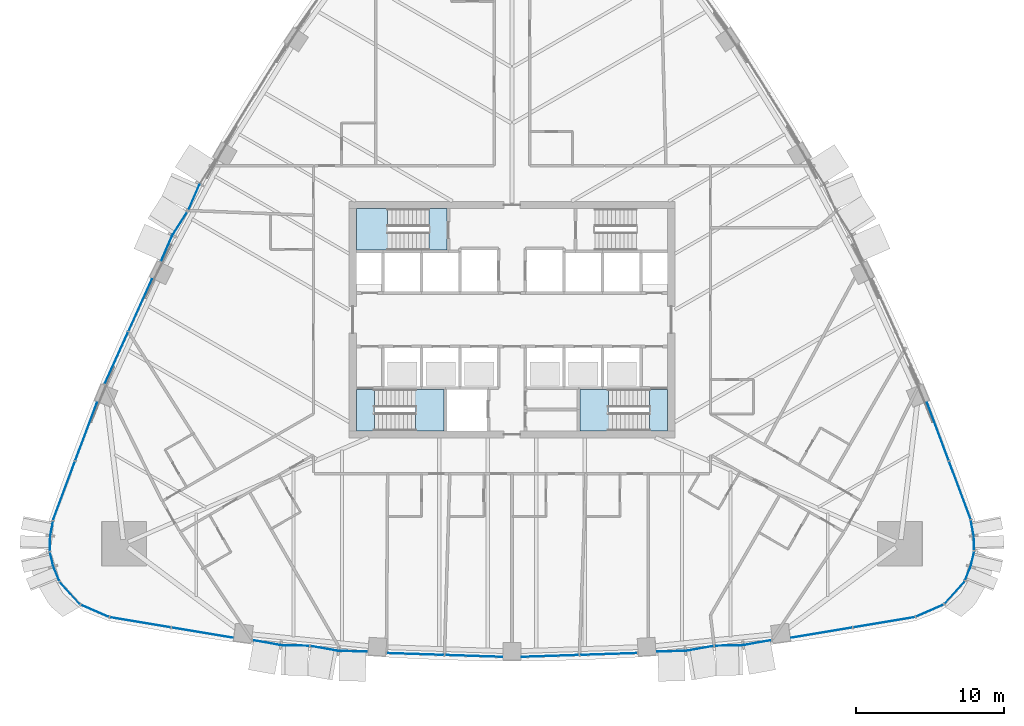
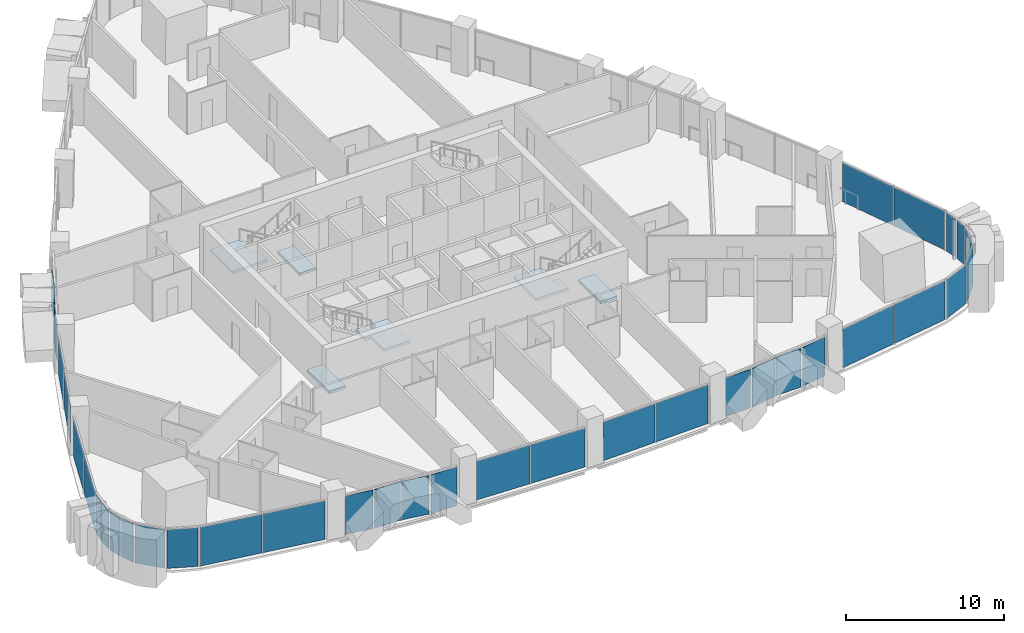
# One storey, part 8 of 18: 37 plates, 6 slabs, 21 elements without a shape of their own.
"""IFC4 building model written with IfcOpenShell, lengths in metres."""

from ifc_helpers import new_model, si_unit, direction, frame, origin, origin_2d, place, context, subcontext, project, spatial, polyline, rectangle, outline, extrude, material, layer, layer_set, type_object, element, aggregate, save


model = new_model("IFC4")

# Units and contexts
model_context = context("Model", 3, precision=1e-05, world=origin(), true_north=direction((0.0, 1.0)))
body_context = subcontext(model_context, "Body", "Model", "MODEL_VIEW")
ifc_project = project(units=[si_unit("LENGTHUNIT", "METRE"), si_unit("AREAUNIT", "SQUARE_METRE"), si_unit("VOLUMEUNIT", "CUBIC_METRE"), si_unit("PLANEANGLEUNIT", "RADIAN"), si_unit("MASSUNIT", "GRAM", prefix="KILO")], contexts=[model_context])

# Site, building, storey
site_placement = place(None, origin())
site = spatial("IfcSite", under=ifc_project, at=site_placement, CompositionType="ELEMENT")
building_placement = place(site_placement, origin())
building = spatial("IfcBuilding", under=site, at=building_placement, Name="Sierra Prisma Convention Tower", CompositionType="ELEMENT")
storey_placement = place(building_placement, frame((0.0, 0.0, 81.300048828125)))
storey = spatial("IfcBuildingStorey", under=building, at=storey_placement, Name="L16", CompositionType="ELEMENT", Elevation=81.300048828125)

# Curtain wall, plates
ifc_material_1 = material(Name="Aluminium and glass curtain wall", Category="aluminium")
ifc_layer_1 = layer(ifc_material_1, 0.179931640625)
ifc_layer_set_1 = layer_set([ifc_layer_1], Name="CW-1 Plain shaft curtain wall")
curtain_wall_type_1 = type_object("IfcCurtainWallType", Name="CW-1 Plain shaft curtain wall", PredefinedType="NOTDEFINED", material=ifc_layer_set_1)
curtain_wall_1_placement = place(storey_placement, origin())
curtain_wall_1 = element("IfcCurtainWall", 1, at=curtain_wall_1_placement, inside=storey, type_object=curtain_wall_type_1, Name="CW-1 S1 L16", PredefinedType="NOTDEFINED")
ifc_material_2 = material(Name="Tinted glass bronze-grey IGU", Category="glass")
ifc_layer_2 = layer(ifc_material_2, 0.028076171875)
ifc_layer_set_2 = layer_set([ifc_layer_2], Name="CW-1 glass panel")
plate_type_1 = type_object("IfcPlateType", Name="CW-1 glass panel", PredefinedType="CURTAIN_PANEL", material=ifc_layer_set_2)
plate_1_placement = place(storey_placement, frame((-25.097900390625, -20.431396484375, 0.0), z_axis=(0.0, 0.0, 1.0), x_axis=(0.986291517821, -0.165012247652, 0.0)))
plate_1 = element("IfcPlate", 2, at=plate_1_placement, type_object=plate_type_1, Name="CW-1 panel S1.1", PredefinedType="CURTAIN_PANEL", context=body_context, shape_type="SweptSolid", body=[
    extrude(rectangle(XDim=4.16064453125, YDim=0.028076171875, at=origin_2d()), origin(), (0.0, 0.0, 1.0), 2.97998046875),
])
plate_2_placement = place(storey_placement, frame((-20.92529296875, -21.129638671875, 0.0), z_axis=(0.0, 0.0, 1.0), x_axis=(0.986291517821, -0.165012247652, 0.0)))
plate_2 = element("IfcPlate", 3, at=plate_2_placement, type_object=plate_type_1, Name="CW-1 panel S1.2", PredefinedType="CURTAIN_PANEL", context=body_context, shape_type="SweptSolid", body=[
    extrude(rectangle(XDim=4.16064453125, YDim=0.028076171875, at=origin_2d()), origin(), (0.0, 0.0, 1.0), 2.97998046875),
])
aggregate(curtain_wall_1, [plate_1, plate_2])

curtain_wall_2_placement = place(storey_placement, origin())
curtain_wall_2 = element("IfcCurtainWall", 4, at=curtain_wall_2_placement, inside=storey, type_object=curtain_wall_type_1, Name="CW-1 S3 L16", PredefinedType="NOTDEFINED")
plate_3_placement = place(storey_placement, frame((-6.517822265625, -22.57666015625, 0.0), z_axis=(0.0, 0.0, 1.0), x_axis=(0.999450453637, -0.033148012377, 0.0)))
plate_3 = element("IfcPlate", 5, at=plate_3_placement, type_object=plate_type_1, Name="CW-1 panel S3.1", PredefinedType="CURTAIN_PANEL", context=body_context, shape_type="SweptSolid", body=[
    extrude(rectangle(XDim=3.854248046875, YDim=0.028076171875, at=origin_2d()), origin(), (0.0, 0.0, 1.0), 2.97998046875),
])
plate_4_placement = place(storey_placement, frame((-2.595703125, -22.706787109375, 0.0), z_axis=(0.0, 0.0, 1.0), x_axis=(0.999450453637, -0.033148012377, 0.0)))
plate_4 = element("IfcPlate", 6, at=plate_4_placement, type_object=plate_type_1, Name="CW-1 panel S3.2", PredefinedType="CURTAIN_PANEL", context=body_context, shape_type="SweptSolid", body=[
    extrude(rectangle(XDim=3.854248046875, YDim=0.028076171875, at=origin_2d()), origin(), (0.0, 0.0, 1.0), 2.97998046875),
])
aggregate(curtain_wall_2, [plate_3, plate_4])

curtain_wall_3_placement = place(storey_placement, origin())
curtain_wall_3 = element("IfcCurtainWall", 7, at=curtain_wall_3_placement, inside=storey, type_object=curtain_wall_type_1, Name="CW-1 S4 L16", PredefinedType="NOTDEFINED")
plate_5_placement = place(storey_placement, frame((2.595703125, -22.706787109375, 0.0), z_axis=(0.0, 0.0, 1.0), x_axis=(0.999450453637, 0.033148012377, 0.0)))
plate_5 = element("IfcPlate", 8, at=plate_5_placement, type_object=plate_type_1, Name="CW-1 panel S4.1", PredefinedType="CURTAIN_PANEL", context=body_context, shape_type="SweptSolid", body=[
    extrude(rectangle(XDim=3.854248046875, YDim=0.028076171875, at=origin_2d()), origin(), (0.0, 0.0, 1.0), 2.97998046875),
])
plate_6_placement = place(storey_placement, frame((6.517822265625, -22.57666015625, 0.0), z_axis=(0.0, 0.0, 1.0), x_axis=(0.999450453637, 0.033148012377, 0.0)))
plate_6 = element("IfcPlate", 9, at=plate_6_placement, type_object=plate_type_1, Name="CW-1 panel S4.2", PredefinedType="CURTAIN_PANEL", context=body_context, shape_type="SweptSolid", body=[
    extrude(rectangle(XDim=3.854248046875, YDim=0.028076171875, at=origin_2d()), origin(), (0.0, 0.0, 1.0), 2.97998046875),
])
aggregate(curtain_wall_3, [plate_5, plate_6])

curtain_wall_4_placement = place(storey_placement, origin())
curtain_wall_4 = element("IfcCurtainWall", 10, at=curtain_wall_4_placement, inside=storey, type_object=curtain_wall_type_1, Name="CW-1 S6 L16", PredefinedType="NOTDEFINED")
plate_7_placement = place(storey_placement, frame((20.92529296875, -21.129638671875, 0.0), z_axis=(0.0, 0.0, 1.0), x_axis=(0.986291517821, 0.165012247652, 0.0)))
plate_7 = element("IfcPlate", 11, at=plate_7_placement, type_object=plate_type_1, Name="CW-1 panel S6.1", PredefinedType="CURTAIN_PANEL", context=body_context, shape_type="SweptSolid", body=[
    extrude(rectangle(XDim=4.16064453125, YDim=0.028076171875, at=origin_2d()), origin(), (0.0, 0.0, 1.0), 2.97998046875),
])
plate_8_placement = place(storey_placement, frame((25.097900390625, -20.431396484375, 0.0), z_axis=(0.0, 0.0, 1.0), x_axis=(0.986291517821, 0.165012247652, 0.0)))
plate_8 = element("IfcPlate", 12, at=plate_8_placement, type_object=plate_type_1, Name="CW-1 panel S6.2", PredefinedType="CURTAIN_PANEL", context=body_context, shape_type="SweptSolid", body=[
    extrude(rectangle(XDim=4.16064453125, YDim=0.028076171875, at=origin_2d()), origin(), (0.0, 0.0, 1.0), 2.97998046875),
])
aggregate(curtain_wall_4, [plate_7, plate_8])

# Curtain wall, plate
curtain_wall_5_placement = place(storey_placement, origin())
curtain_wall_5 = element("IfcCurtainWall", 13, at=curtain_wall_5_placement, inside=storey, type_object=curtain_wall_type_1, Name="CW-1 SE1 L16", PredefinedType="NOTDEFINED")
plate_9_placement = place(storey_placement, frame((28.1904296875, -19.653076171875, 0.0), z_axis=(0.0, 0.0, 1.0), x_axis=(0.916724641924, 0.399519625163, 0.0)))
plate_9 = element("IfcPlate", 14, at=plate_9_placement, type_object=plate_type_1, Name="CW-1 panel SE1.1", PredefinedType="CURTAIN_PANEL", context=body_context, shape_type="SweptSolid", body=[
    extrude(rectangle(XDim=1.979736328125, YDim=0.028076171875, at=origin_2d()), origin(), (0.0, 0.0, 1.0), 2.97998046875),
])
aggregate(curtain_wall_5, [plate_9])

curtain_wall_6_placement = place(storey_placement, origin())
curtain_wall_6 = element("IfcCurtainWall", 15, at=curtain_wall_6_placement, inside=storey, type_object=curtain_wall_type_1, Name="CW-1 SE2 L16", PredefinedType="NOTDEFINED")
plate_10_placement = place(storey_placement, frame((29.87353515625, -18.44384765625, 0.0), z_axis=(0.0, 0.0, 1.0), x_axis=(0.67108183323, 0.741383283538, 0.0)))
plate_10 = element("IfcPlate", 16, at=plate_10_placement, type_object=plate_type_1, Name="CW-1 panel SE2.1", PredefinedType="CURTAIN_PANEL", context=body_context, shape_type="SweptSolid", body=[
    extrude(rectangle(XDim=1.979736328125, YDim=0.028076171875, at=origin_2d()), origin(), (0.0, 0.0, 1.0), 2.97998046875),
])
aggregate(curtain_wall_6, [plate_10])

# Curtain wall, plates
curtain_wall_7_placement = place(storey_placement, origin())
curtain_wall_7 = element("IfcCurtainWall", 17, at=curtain_wall_7_placement, inside=storey, type_object=curtain_wall_type_1, Name="CW-1 NE1 L16", PredefinedType="NOTDEFINED")
plate_11_placement = place(storey_placement, frame((30.2431640625, -11.519775390625, 0.0), z_axis=(0.0, 0.0, 1.0), x_axis=(-0.350240960509, 0.936659633796, 0.0)))
plate_11 = element("IfcPlate", 18, at=plate_11_placement, type_object=plate_type_1, Name="CW-1 panel NE1.1", PredefinedType="CURTAIN_PANEL", context=body_context, shape_type="SweptSolid", body=[
    extrude(rectangle(XDim=4.16064453125, YDim=0.028076171875, at=origin_2d()), origin(), (0.0, 0.0, 1.0), 2.97998046875),
])
plate_12_placement = place(storey_placement, frame((28.761474609375, -7.556884765625, 0.0), z_axis=(0.0, 0.0, 1.0), x_axis=(-0.350240960509, 0.936659633796, 0.0)))
plate_12 = element("IfcPlate", 19, at=plate_12_placement, type_object=plate_type_1, Name="CW-1 panel NE1.2", PredefinedType="CURTAIN_PANEL", context=body_context, shape_type="SweptSolid", body=[
    extrude(rectangle(XDim=4.16064453125, YDim=0.028076171875, at=origin_2d()), origin(), (0.0, 0.0, 1.0), 2.97998046875),
])
aggregate(curtain_wall_7, [plate_11, plate_12])

curtain_wall_8_placement = place(storey_placement, origin())
curtain_wall_8 = element("IfcCurtainWall", 20, at=curtain_wall_8_placement, inside=storey, type_object=curtain_wall_type_1, Name="CW-1 NW5 L16", PredefinedType="NOTDEFINED")
plate_13_placement = place(storey_placement, frame((-25.105712890625, 0.98193359375, 0.0), z_axis=(0.0, 0.0, 1.0), x_axis=(-0.411533962664, -0.91139442481, 0.0)))
plate_13 = element("IfcPlate", 21, at=plate_13_placement, type_object=plate_type_1, Name="CW-1 panel NW5.1", PredefinedType="CURTAIN_PANEL", context=body_context, shape_type="SweptSolid", body=[
    extrude(rectangle(XDim=3.838134765625, YDim=0.028076171875, at=origin_2d()), origin(), (0.0, 0.0, 1.0), 2.97998046875),
])
plate_14_placement = place(storey_placement, frame((-26.714111328125, -2.579833984375, 0.0), z_axis=(0.0, 0.0, 1.0), x_axis=(-0.411533962664, -0.91139442481, 0.0)))
plate_14 = element("IfcPlate", 22, at=plate_14_placement, type_object=plate_type_1, Name="CW-1 panel NW5.2", PredefinedType="CURTAIN_PANEL", context=body_context, shape_type="SweptSolid", body=[
    extrude(rectangle(XDim=3.838134765625, YDim=0.028076171875, at=origin_2d()), origin(), (0.0, 0.0, 1.0), 2.97998046875),
])
aggregate(curtain_wall_8, [plate_13, plate_14])

curtain_wall_9_placement = place(storey_placement, origin())
curtain_wall_9 = element("IfcCurtainWall", 23, at=curtain_wall_9_placement, inside=storey, type_object=curtain_wall_type_1, Name="CW-1 NW6 L16", PredefinedType="NOTDEFINED")
plate_15_placement = place(storey_placement, frame((-28.761474609375, -7.556884765625, 0.0), z_axis=(0.0, 0.0, 1.0), x_axis=(-0.350240960509, -0.936659633796, 0.0)))
plate_15 = element("IfcPlate", 24, at=plate_15_placement, type_object=plate_type_1, Name="CW-1 panel NW6.1", PredefinedType="CURTAIN_PANEL", context=body_context, shape_type="SweptSolid", body=[
    extrude(rectangle(XDim=4.16064453125, YDim=0.028076171875, at=origin_2d()), origin(), (0.0, 0.0, 1.0), 2.97998046875),
])
plate_16_placement = place(storey_placement, frame((-30.2431640625, -11.519775390625, 0.0), z_axis=(0.0, 0.0, 1.0), x_axis=(-0.350240960509, -0.936659633796, 0.0)))
plate_16 = element("IfcPlate", 25, at=plate_16_placement, type_object=plate_type_1, Name="CW-1 panel NW6.2", PredefinedType="CURTAIN_PANEL", context=body_context, shape_type="SweptSolid", body=[
    extrude(rectangle(XDim=4.16064453125, YDim=0.028076171875, at=origin_2d()), origin(), (0.0, 0.0, 1.0), 2.97998046875),
])
aggregate(curtain_wall_9, [plate_15, plate_16])

# Curtain wall, plate
curtain_wall_10_placement = place(storey_placement, origin())
curtain_wall_10 = element("IfcCurtainWall", 26, at=curtain_wall_10_placement, inside=storey, type_object=curtain_wall_type_1, Name="CW-1 SW3 L16", PredefinedType="NOTDEFINED")
plate_17_placement = place(storey_placement, frame((-29.87353515625, -18.44384765625, 0.0), z_axis=(0.0, 0.0, 1.0), x_axis=(0.67108183323, -0.741383283538, 0.0)))
plate_17 = element("IfcPlate", 27, at=plate_17_placement, type_object=plate_type_1, Name="CW-1 panel SW3.1", PredefinedType="CURTAIN_PANEL", context=body_context, shape_type="SweptSolid", body=[
    extrude(rectangle(XDim=1.979736328125, YDim=0.028076171875, at=origin_2d()), origin(), (0.0, 0.0, 1.0), 2.97998046875),
])
aggregate(curtain_wall_10, [plate_17])

curtain_wall_11_placement = place(storey_placement, origin())
curtain_wall_11 = element("IfcCurtainWall", 28, at=curtain_wall_11_placement, inside=storey, type_object=curtain_wall_type_1, Name="CW-1 SW4 L16", PredefinedType="NOTDEFINED")
plate_18_placement = place(storey_placement, frame((-28.1904296875, -19.653076171875, 0.0), z_axis=(0.0, 0.0, 1.0), x_axis=(0.916724641924, -0.399519625163, 0.0)))
plate_18 = element("IfcPlate", 29, at=plate_18_placement, type_object=plate_type_1, Name="CW-1 panel SW4.1", PredefinedType="CURTAIN_PANEL", context=body_context, shape_type="SweptSolid", body=[
    extrude(rectangle(XDim=1.979736328125, YDim=0.028076171875, at=origin_2d()), origin(), (0.0, 0.0, 1.0), 2.97998046875),
])
aggregate(curtain_wall_11, [plate_18])

# Curtain wall, plates
ifc_material_3 = material(Name="Aluminium and glass curtain wall", Category="aluminium")
ifc_layer_3 = layer(ifc_material_3, 0.179931640625)
ifc_layer_set_3 = layer_set([ifc_layer_3], Name="CW-2 Faceted crystal curtain wall")
curtain_wall_type_2 = type_object("IfcCurtainWallType", Name="CW-2 Faceted crystal curtain wall", PredefinedType="NOTDEFINED", material=ifc_layer_set_3)
curtain_wall_12_placement = place(storey_placement, origin())
curtain_wall_12 = element("IfcCurtainWall", 30, at=curtain_wall_12_placement, inside=storey, type_object=curtain_wall_type_2, Name="CW-2 S2 L16", PredefinedType="NOTDEFINED")
ifc_material_4 = material(Name="Tinted glass bronze-grey IGU", Category="glass")
ifc_layer_4 = layer(ifc_material_4, 0.028076171875)
ifc_layer_set_4 = layer_set([ifc_layer_4], Name="CW-2 crystal pane")
plate_type_2 = type_object("IfcPlateType", Name="CW-2 crystal pane", PredefinedType="CURTAIN_PANEL", material=ifc_layer_set_4)
plate_19_placement = place(storey_placement, frame((-17.500732421875, -21.654541015625, 0.0), z_axis=(-0.177071626831, -0.984197967368, 0.0), x_axis=(0.984197967368, -0.177071626831, 0.0)))
plate_19 = element("IfcPlate", 31, at=plate_19_placement, type_object=plate_type_2, Name="CW-2 pane S2.1.1", PredefinedType="CURTAIN_PANEL", context=body_context, shape_type="SweptSolid", body=[
    extrude(outline(polyline([(0.0, 0.0), (1.8599575156056498, 0.0), (1.8599575156056498, 2.97998046875), (0.0, 2.97998046875), (0.0, 0.0)])), origin(), (0.0, 0.0, -1.0), 0.028076171875),
])
plate_20_placement = place(storey_placement, frame((-13.681640625, -22.03564453125, 0.0), z_axis=(-0.021001012565, -0.999779454415, 0.0), x_axis=(-0.999779454415, 0.021001012565, 0.0)))
plate_20 = element("IfcPlate", 32, at=plate_20_placement, type_object=plate_type_2, Name="CW-2 pane S2.1.2", PredefinedType="CURTAIN_PANEL", context=body_context, shape_type="SweptSolid", body=[
    extrude(outline(polyline([(0.0, 0.0), (1.8600293618879016, 0.0), (1.8600293618879016, -2.97998046875), (0.0, -2.97998046875), (0.0, 0.0)])), origin(), (0.0, 0.0, -1.0), 0.028076171875),
])
plate_21_placement = place(storey_placement, frame((-13.612060546875, -22.04248046875, 0.0), z_axis=(-0.177071626831, -0.984197967368, 0.0), x_axis=(0.984197967368, -0.177071626831, 0.0)))
plate_21 = element("IfcPlate", 33, at=plate_21_placement, type_object=plate_type_2, Name="CW-2 pane S2.2.1", PredefinedType="CURTAIN_PANEL", context=body_context, shape_type="SweptSolid", body=[
    extrude(outline(polyline([(0.0, 0.0), (1.8599575156056498, 0.0), (1.8599575156056498, 2.97998046875), (0.0, 2.97998046875), (0.0, 0.0)])), origin(), (0.0, 0.0, -1.0), 0.028076171875),
])
plate_22_placement = place(storey_placement, frame((-9.79296875, -22.423583984375, 0.0), z_axis=(-0.020869813585, -0.999782201722, 0.0), x_axis=(-0.999782201722, 0.020869813585, 0.0)))
plate_22 = element("IfcPlate", 34, at=plate_22_placement, type_object=plate_type_2, Name="CW-2 pane S2.2.2", PredefinedType="CURTAIN_PANEL", context=body_context, shape_type="SweptSolid", body=[
    extrude(outline(polyline([(0.0, 0.0), (1.8600242507030467, 0.0), (1.8600242507030467, -2.97998046875), (0.0, -2.97998046875), (0.0, 0.0)])), origin(), (0.0, 0.0, -1.0), 0.028076171875),
])
aggregate(curtain_wall_12, [plate_19, plate_20, plate_21, plate_22])

curtain_wall_13_placement = place(storey_placement, origin())
curtain_wall_13 = element("IfcCurtainWall", 35, at=curtain_wall_13_placement, inside=storey, type_object=curtain_wall_type_2, Name="CW-2 S5 L16", PredefinedType="NOTDEFINED")
plate_23_placement = place(storey_placement, frame((9.79296875, -22.423583984375, 0.0), z_axis=(0.020869813585, -0.999782201722, 0.0), x_axis=(0.999782201722, 0.020869813585, 0.0)))
plate_23 = element("IfcPlate", 36, at=plate_23_placement, type_object=plate_type_2, Name="CW-2 pane S5.1.1", PredefinedType="CURTAIN_PANEL", context=body_context, shape_type="SweptSolid", body=[
    extrude(outline(polyline([(0.0, 0.0), (1.8600242507030467, 0.0), (1.8600242507030467, 2.97998046875), (0.0, 2.97998046875), (0.0, 0.0)])), origin(), (0.0, 0.0, -1.0), 0.028076171875),
])
plate_24_placement = place(storey_placement, frame((13.612060546875, -22.04248046875, 0.0), z_axis=(0.177071626831, -0.984197967368, 0.0), x_axis=(-0.984197967368, -0.177071626831, 0.0)))
plate_24 = element("IfcPlate", 37, at=plate_24_placement, type_object=plate_type_2, Name="CW-2 pane S5.1.2", PredefinedType="CURTAIN_PANEL", context=body_context, shape_type="SweptSolid", body=[
    extrude(outline(polyline([(0.0, 0.0), (1.8599575156056498, 0.0), (1.8599575156056498, -2.97998046875), (0.0, -2.97998046875), (0.0, 0.0)])), origin(), (0.0, 0.0, -1.0), 0.028076171875),
])
plate_25_placement = place(storey_placement, frame((13.681640625, -22.03564453125, 0.0), z_axis=(0.021001012565, -0.999779454415, 0.0), x_axis=(0.999779454415, 0.021001012565, 0.0)))
plate_25 = element("IfcPlate", 38, at=plate_25_placement, type_object=plate_type_2, Name="CW-2 pane S5.2.1", PredefinedType="CURTAIN_PANEL", context=body_context, shape_type="SweptSolid", body=[
    extrude(outline(polyline([(0.0, 0.0), (1.8600293618879016, 0.0), (1.8600293618879016, 2.97998046875), (0.0, 2.97998046875), (0.0, 0.0)])), origin(), (0.0, 0.0, -1.0), 0.028076171875),
])
plate_26_placement = place(storey_placement, frame((17.500732421875, -21.654541015625, 0.0), z_axis=(0.177071626831, -0.984197967368, 0.0), x_axis=(-0.984197967368, -0.177071626831, 0.0)))
plate_26 = element("IfcPlate", 39, at=plate_26_placement, type_object=plate_type_2, Name="CW-2 pane S5.2.2", PredefinedType="CURTAIN_PANEL", context=body_context, shape_type="SweptSolid", body=[
    extrude(outline(polyline([(0.0, 0.0), (1.8599575156056498, 0.0), (1.8599575156056498, -2.97998046875), (0.0, -2.97998046875), (0.0, 0.0)])), origin(), (0.0, 0.0, -1.0), 0.028076171875),
])
aggregate(curtain_wall_13, [plate_23, plate_24, plate_25, plate_26])

curtain_wall_14_placement = place(storey_placement, origin())
curtain_wall_14 = element("IfcCurtainWall", 40, at=curtain_wall_14_placement, inside=storey, type_object=curtain_wall_type_2, Name="CW-2 SE3 L16", PredefinedType="NOTDEFINED")
plate_27_placement = place(storey_placement, frame((30.606201171875, -17.591552734375, 0.0), z_axis=(0.924933948964, -0.38012786014, 0.0), x_axis=(0.38012786014, 0.924933948964, 0.0)))
plate_27 = element("IfcPlate", 41, at=plate_27_placement, type_object=plate_type_2, Name="CW-2 pane SE3.1.1", PredefinedType="CURTAIN_PANEL", context=body_context, shape_type="SweptSolid", body=[
    extrude(outline(polyline([(0.0, 0.0), (0.9280645806782933, 0.0), (0.9280645806782933, 2.97998046875), (0.0, 2.97998046875), (0.0, 0.0)])), origin(), (0.0, 0.0, -1.0), 0.028076171875),
])
plate_28_placement = place(storey_placement, frame((31.213134765625, -15.70703125, 0.0), z_axis=(0.972952814663, -0.231003940312, 0.0), x_axis=(-0.231003940312, -0.972952814663, 0.0)))
plate_28 = element("IfcPlate", 42, at=plate_28_placement, type_object=plate_type_2, Name="CW-2 pane SE3.1.2", PredefinedType="CURTAIN_PANEL", context=body_context, shape_type="SweptSolid", body=[
    extrude(outline(polyline([(0.0, 0.0), (0.9279299238811265, 0.0), (0.9279299238811265, -2.97998046875), (0.0, -2.97998046875), (0.0, 0.0)])), origin(), (0.0, 0.0, -1.0), 0.028076171875),
])
aggregate(curtain_wall_14, [plate_27, plate_28])

curtain_wall_15_placement = place(storey_placement, origin())
curtain_wall_15 = element("IfcCurtainWall", 43, at=curtain_wall_15_placement, inside=storey, type_object=curtain_wall_type_2, Name="CW-2 SE4 L16", PredefinedType="NOTDEFINED")
plate_29_placement = place(storey_placement, frame((31.2265625, -15.57080078125, 0.0), z_axis=(0.999423982776, 0.033936744874, 0.0), x_axis=(-0.033936744874, 0.999423982776, 0.0)))
plate_29 = element("IfcPlate", 44, at=plate_29_placement, type_object=plate_type_2, Name="CW-2 pane SE4.1.1", PredefinedType="CURTAIN_PANEL", context=body_context, shape_type="SweptSolid", body=[
    extrude(outline(polyline([(0.0, 0.0), (0.9280247926400996, 0.0), (0.9280247926400996, 2.97998046875), (0.0, 2.97998046875), (0.0, 0.0)])), origin(), (0.0, 0.0, -1.0), 0.028076171875),
])
plate_30_placement = place(storey_placement, frame((31.004150390625, -13.603515625, 0.0), z_axis=(0.981786184478, 0.189989178556, 0.0), x_axis=(0.189989178556, -0.981786184478, 0.0)))
plate_30 = element("IfcPlate", 45, at=plate_30_placement, type_object=plate_type_2, Name="CW-2 pane SE4.1.2", PredefinedType="CURTAIN_PANEL", context=body_context, shape_type="SweptSolid", body=[
    extrude(outline(polyline([(0.0, 0.0), (0.9277872170909105, 0.0), (0.9277872170909105, -2.9799804687500004), (0.0, -2.9799804687500004), (0.0, 0.0)])), origin(), (0.0, 0.0, -1.0), 0.028076171875),
])
aggregate(curtain_wall_15, [plate_29, plate_30])

curtain_wall_16_placement = place(storey_placement, origin())
curtain_wall_16 = element("IfcCurtainWall", 46, at=curtain_wall_16_placement, inside=storey, type_object=curtain_wall_type_2, Name="CW-2 NW4 L16", PredefinedType="NOTDEFINED")
plate_31_placement = place(storey_placement, frame((-21.8701171875, 7.405517578125, 0.0), z_axis=(-0.91638514111, 0.400297730636, 0.0), x_axis=(0.400297730636, 0.91638514111, 0.0)))
plate_31 = element("IfcPlate", 47, at=plate_31_placement, type_object=plate_type_2, Name="CW-2 pane NW4.1.2", PredefinedType="CURTAIN_PANEL", context=body_context, shape_type="SweptSolid", body=[
    extrude(outline(polyline([(0.0, 0.0), (1.8681163472664066, 0.0), (1.8681163472664066, -2.9799804687500004), (0.0, -2.9799804687500004), (0.0, 0.0)])), origin(), (0.0, 0.0, -1.0), 0.028076171875),
])
plate_32_placement = place(storey_placement, frame((-21.903076171875, 7.34375, 0.0), z_axis=(-0.842416150856, 0.538827457334, 0.0), x_axis=(-0.538827457334, -0.842416150856, 0.0)))
plate_32 = element("IfcPlate", 48, at=plate_32_placement, type_object=plate_type_2, Name="CW-2 pane NW4.2.1", PredefinedType="CURTAIN_PANEL", context=body_context, shape_type="SweptSolid", body=[
    extrude(outline(polyline([(0.0, 0.0), (1.8681152624525437, 0.0), (1.8681152624525437, 2.97998046875), (0.0, 2.97998046875), (0.0, 0.0)])), origin(), (0.0, 0.0, -1.0), 0.028076171875),
])
plate_33_placement = place(storey_placement, frame((-23.718505859375, 3.94384765625, 0.0), z_axis=(-0.91638514111, 0.400297730636, 0.0), x_axis=(0.400297730636, 0.91638514111, 0.0)))
plate_33 = element("IfcPlate", 49, at=plate_33_placement, type_object=plate_type_2, Name="CW-2 pane NW4.2.2", PredefinedType="CURTAIN_PANEL", context=body_context, shape_type="SweptSolid", body=[
    extrude(outline(polyline([(0.0, 0.0), (1.8681163472664066, 0.0), (1.8681163472664066, -2.9799804687500004), (0.0, -2.9799804687500004), (0.0, 0.0)])), origin(), (0.0, 0.0, -1.0), 0.028076171875),
])
aggregate(curtain_wall_16, [plate_31, plate_32, plate_33])

curtain_wall_17_placement = place(storey_placement, origin())
curtain_wall_17 = element("IfcCurtainWall", 50, at=curtain_wall_17_placement, inside=storey, type_object=curtain_wall_type_2, Name="CW-2 SW1 L16", PredefinedType="NOTDEFINED")
plate_34_placement = place(storey_placement, frame((-31.004150390625, -13.603515625, 0.0), z_axis=(-0.981786184478, 0.189989178556, 0.0), x_axis=(-0.189989178556, -0.981786184478, 0.0)))
plate_34 = element("IfcPlate", 51, at=plate_34_placement, type_object=plate_type_2, Name="CW-2 pane SW1.1.1", PredefinedType="CURTAIN_PANEL", context=body_context, shape_type="SweptSolid", body=[
    extrude(outline(polyline([(0.0, 0.0), (0.9277872170909105, 0.0), (0.9277872170909105, 2.9799804687500004), (0.0, 2.9799804687500004), (0.0, 0.0)])), origin(), (0.0, 0.0, -1.0), 0.028076171875),
])
plate_35_placement = place(storey_placement, frame((-31.2265625, -15.57080078125, 0.0), z_axis=(-0.999423982776, 0.033936744874, 0.0), x_axis=(0.033936744874, 0.999423982776, 0.0)))
plate_35 = element("IfcPlate", 52, at=plate_35_placement, type_object=plate_type_2, Name="CW-2 pane SW1.1.2", PredefinedType="CURTAIN_PANEL", context=body_context, shape_type="SweptSolid", body=[
    extrude(outline(polyline([(0.0, 0.0), (0.9280247926400996, 0.0), (0.9280247926400996, -2.97998046875), (0.0, -2.97998046875), (0.0, 0.0)])), origin(), (0.0, 0.0, -1.0), 0.028076171875),
])
aggregate(curtain_wall_17, [plate_34, plate_35])

curtain_wall_18_placement = place(storey_placement, origin())
curtain_wall_18 = element("IfcCurtainWall", 53, at=curtain_wall_18_placement, inside=storey, type_object=curtain_wall_type_2, Name="CW-2 SW2 L16", PredefinedType="NOTDEFINED")
plate_36_placement = place(storey_placement, frame((-31.213134765625, -15.70703125, 0.0), z_axis=(-0.972952814663, -0.231003940312, 0.0), x_axis=(0.231003940312, -0.972952814663, 0.0)))
plate_36 = element("IfcPlate", 54, at=plate_36_placement, type_object=plate_type_2, Name="CW-2 pane SW2.1.1", PredefinedType="CURTAIN_PANEL", context=body_context, shape_type="SweptSolid", body=[
    extrude(outline(polyline([(0.0, 0.0), (0.9279299238811265, 0.0), (0.9279299238811265, 2.97998046875), (0.0, 2.97998046875), (0.0, 0.0)])), origin(), (0.0, 0.0, -1.0), 0.028076171875),
])
plate_37_placement = place(storey_placement, frame((-30.606201171875, -17.591552734375, 0.0), z_axis=(-0.924933948964, -0.38012786014, 0.0), x_axis=(-0.38012786014, 0.924933948964, 0.0)))
plate_37 = element("IfcPlate", 55, at=plate_37_placement, type_object=plate_type_2, Name="CW-2 pane SW2.1.2", PredefinedType="CURTAIN_PANEL", context=body_context, shape_type="SweptSolid", body=[
    extrude(outline(polyline([(0.0, 0.0), (0.9280645806782933, 0.0), (0.9280645806782933, -2.97998046875), (0.0, -2.97998046875), (0.0, 0.0)])), origin(), (0.0, 0.0, -1.0), 0.028076171875),
])
aggregate(curtain_wall_18, [plate_36, plate_37])

# Stair, slab
ifc_material_5 = material(Name="Concrete C30/37", Category="concrete")
stair_type = type_object("IfcStairType", Name="Stair dog-leg 1200 RC", PredefinedType="HALF_TURN_STAIR", material=ifc_material_5)
stair_1_placement = place(storey_placement, origin())
stair_1 = element("IfcStair", 56, at=stair_1_placement, inside=storey, type_object=stair_type, Name="L16 S1", PredefinedType="HALF_TURN_STAIR")
ifc_material_6 = material(Name="Concrete C35/45", Category="concrete")
ifc_layer_5 = layer(ifc_material_6, 0.199951171875)
ifc_layer_set_5 = layer_set([ifc_layer_5], Name="Stair landing slab")
slab_type = type_object("IfcSlabType", Name="Stair landing slab", PredefinedType="LANDING", material=ifc_layer_set_5)
slab_1_placement = place(storey_placement, frame((0.0, 0.0, 1.64990234375)))
slab_1 = element("IfcSlab", 57, at=slab_1_placement, type_object=slab_type, Name="S1 landing 1", PredefinedType="LANDING", context=body_context, shape_type="SweptSolid", body=[
    extrude(outline(polyline([(-4.60009765625, -4.699951171875), (-4.60009765625, -7.5), (-6.501953125, -7.5), (-6.501953125, -5.89990234375), (-6.949951171875, -5.89990234375), (-6.949951171875, -4.699951171875), (-4.60009765625, -4.699951171875)])), origin(), (0.0, 0.0, 1.0), 0.199951171875),
])
aggregate(stair_1, [slab_1])

# Slab
slab_2_placement = place(storey_placement, frame((0.0, 0.0, -0.199951171875)))
element("IfcSlab", 58, at=slab_2_placement, inside=storey, type_object=slab_type, Name="S1 floor landing L16", PredefinedType="LANDING", context=body_context, shape_type="SweptSolid", body=[
    extrude(outline(polyline([(-10.5, -7.5), (-9.298095703125, -7.5), (-9.298095703125, -4.699951171875), (-10.5, -4.699951171875), (-10.5, -7.5)])), origin(), (0.0, 0.0, 1.0), 0.199951171875),
])

# Stair, slab
stair_2_placement = place(storey_placement, origin())
stair_2 = element("IfcStair", 59, at=stair_2_placement, inside=storey, type_object=stair_type, Name="L16 S2", PredefinedType="HALF_TURN_STAIR")
slab_3_placement = place(storey_placement, frame((0.0, 0.0, 1.64990234375)))
slab_3 = element("IfcSlab", 60, at=slab_3_placement, type_object=slab_type, Name="S2 landing 1", PredefinedType="LANDING", context=body_context, shape_type="SweptSolid", body=[
    extrude(outline(polyline([(6.949951171875, -6.300048828125), (6.949951171875, -7.5), (4.60009765625, -7.5), (4.60009765625, -4.699951171875), (6.501953125, -4.699951171875), (6.501953125, -6.300048828125), (6.949951171875, -6.300048828125)])), origin(), (0.0, 0.0, 1.0), 0.199951171875),
])
aggregate(stair_2, [slab_3])

# Slab
slab_4_placement = place(storey_placement, frame((0.0, 0.0, -0.199951171875)))
element("IfcSlab", 61, at=slab_4_placement, inside=storey, type_object=slab_type, Name="S2 floor landing L16", PredefinedType="LANDING", context=body_context, shape_type="SweptSolid", body=[
    extrude(outline(polyline([(10.5, -4.699951171875), (9.298095703125, -4.699951171875), (9.298095703125, -7.5), (10.5, -7.5), (10.5, -4.699951171875)])), origin(), (0.0, 0.0, 1.0), 0.199951171875),
])

# Stair, slab
stair_3_placement = place(storey_placement, origin())
stair_3 = element("IfcStair", 62, at=stair_3_placement, inside=storey, type_object=stair_type, Name="L16 S3", PredefinedType="HALF_TURN_STAIR")
slab_5_placement = place(storey_placement, frame((0.0, 0.0, 1.64990234375)))
slab_5 = element("IfcSlab", 63, at=slab_5_placement, type_object=slab_type, Name="S3 landing 1", PredefinedType="LANDING", context=body_context, shape_type="SweptSolid", body=[
    extrude(outline(polyline([(-7.949951171875, 5.89990234375), (-7.949951171875, 4.699951171875), (-10.5, 4.699951171875), (-10.5, 7.5), (-8.39794921875, 7.5), (-8.39794921875, 5.89990234375), (-7.949951171875, 5.89990234375)])), origin(), (0.0, 0.0, 1.0), 0.199951171875),
])
aggregate(stair_3, [slab_5])

# Slab
slab_6_placement = place(storey_placement, frame((0.0, 0.0, -0.199951171875)))
element("IfcSlab", 64, at=slab_6_placement, inside=storey, type_object=slab_type, Name="S3 floor landing L16", PredefinedType="LANDING", context=body_context, shape_type="SweptSolid", body=[
    extrude(outline(polyline([(-4.39990234375, 7.5), (-5.60205078125, 7.5), (-5.60205078125, 4.699951171875), (-4.39990234375, 4.699951171875), (-4.39990234375, 7.5)])), origin(), (0.0, 0.0, 1.0), 0.199951171875),
])

save(model, "model.ifc")
